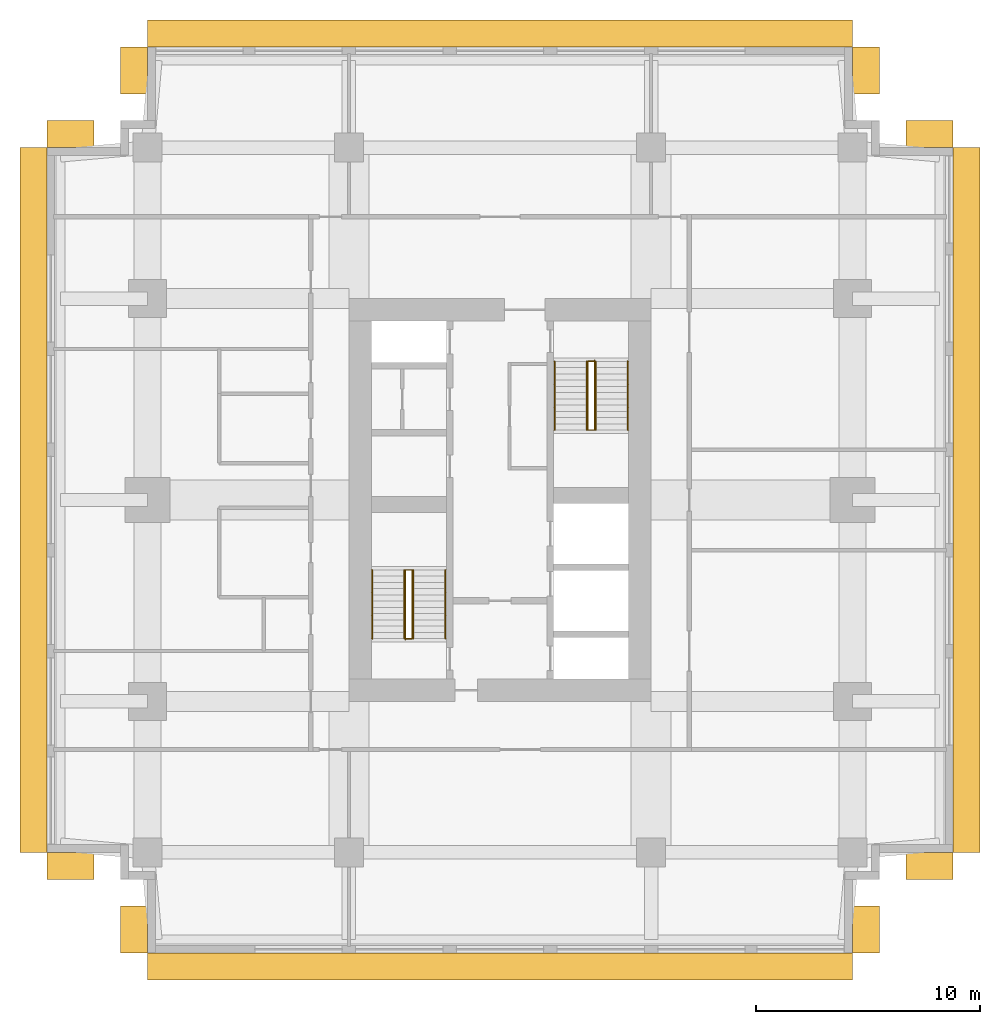
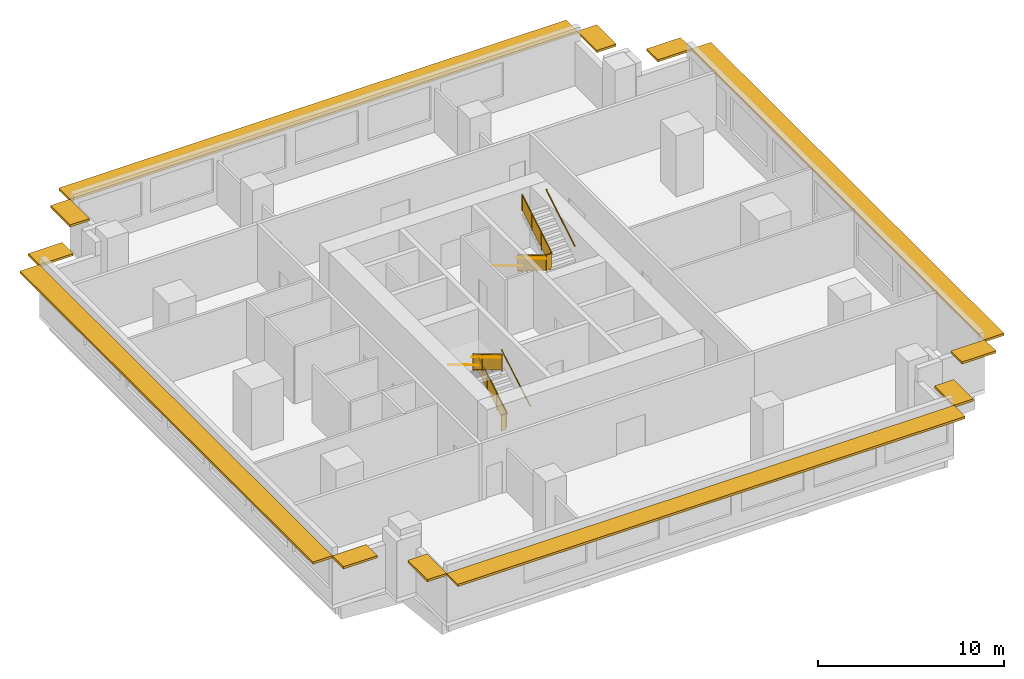
# One storey, part 5 of 5: 12 shading devices, 10 railings.
"""IFC4 building model written with IfcOpenShell, lengths in metres."""

from ifc_helpers import new_model, si_unit, direction, frame, origin, origin_2d, place, context, subcontext, project, spatial, polyline, rectangle, circle, outline, extrude, material, layer, layer_set, type_object, element, save


model = new_model("IFC4")

# Units and contexts
model_context = context("Model", 3, precision=1e-05, world=origin(), true_north=direction((0.0, 1.0)))
body_context = subcontext(model_context, "Body", "Model", "MODEL_VIEW")
ifc_project = project(units=[si_unit("LENGTHUNIT", "METRE"), si_unit("AREAUNIT", "SQUARE_METRE"), si_unit("VOLUMEUNIT", "CUBIC_METRE"), si_unit("PLANEANGLEUNIT", "RADIAN"), si_unit("MASSUNIT", "GRAM", prefix="KILO")], contexts=[model_context])

# Site, building, storey
site_placement = place(None, origin())
site = spatial("IfcSite", under=ifc_project, at=site_placement, CompositionType="ELEMENT")
building_placement = place(site_placement, origin())
building = spatial("IfcBuilding", under=site, at=building_placement, Name="Namib Vertical Campus", CompositionType="ELEMENT")
storey_placement = place(building_placement, frame((0.0, 0.0, 281.0)))
storey = spatial("IfcBuildingStorey", under=building, at=storey_placement, Name="L66", CompositionType="ELEMENT", Elevation=281.0)

# Railings
ifc_material_1 = material(Name="Steel handrail", Category="steel")
railing_type_1 = type_object("IfcRailingType", Name="Handrail 900", PredefinedType="HANDRAIL", material=ifc_material_1)
railing_1_placement = place(storey_placement, frame((17.800048828125, 14.050048828125, 0.166748046875)))
element("IfcRailing", 1, at=railing_1_placement, inside=storey, type_object=railing_type_1, Name="Handrail HR1 A-S1 L66 1", PredefinedType="HANDRAIL", context=body_context, shape_type="SweptSolid", body=[
    extrude(circle(Radius=0.02392578125, at=origin_2d()), frame((0.0, 0.0, 0.8759765625), z_axis=(0.0, 0.859290745958, 0.51148745235), x_axis=(-1.0, 0.0, 0.0)), (0.0, 0.0, 1.0), 3.584228515625),
    extrude(circle(Radius=0.008056640625, at=origin_2d()), frame((0.0, 0.0, 0.8759765625), z_axis=(1.0, 0.0, 0.0), x_axis=(0.0, 0.0, 1.0)), (0.0, 0.0, 1.0), 0.050048828125),
    extrude(circle(Radius=0.008056640625, at=origin_2d()), frame((0.0, 1.026611328125, 1.48681640625), z_axis=(1.0, 0.0, 0.0), x_axis=(0.0, 0.0, 1.0)), (0.0, 0.0, 1.0), 0.050048828125),
    extrude(circle(Radius=0.008056640625, at=origin_2d()), frame((0.0, 2.05322265625, 2.09814453125), z_axis=(1.0, 0.0, 0.0), x_axis=(0.0, 0.0, 1.0)), (0.0, 0.0, 1.0), 0.050048828125),
    extrude(circle(Radius=0.008056640625, at=origin_2d()), frame((0.0, 3.079833984375, 2.708984375), z_axis=(1.0, 0.0, 0.0), x_axis=(0.0, 0.0, 1.0)), (0.0, 0.0, 1.0), 0.050048828125),
])
railing_2_placement = place(storey_placement, frame((14.550048828125, 17.1298828125, 2.166748046875)))
element("IfcRailing", 2, at=railing_2_placement, inside=storey, type_object=railing_type_1, Name="Handrail HR1 A-S1 L66 2", PredefinedType="HANDRAIL", context=body_context, shape_type="SweptSolid", body=[
    extrude(circle(Radius=0.02392578125, at=origin_2d()), frame((0.0, 0.0, 0.8759765625), z_axis=(0.0, -0.859290745958, 0.51148745235), x_axis=(1.0, 0.0, 0.0)), (0.0, 0.0, 1.0), 3.584228515625),
    extrude(circle(Radius=0.008056640625, at=origin_2d()), frame((0.0, 0.0, 0.8759765625), z_axis=(-1.0, 0.0, 0.0), x_axis=(0.0, 0.0, 1.0)), (0.0, 0.0, 1.0), 0.050048828125),
    extrude(circle(Radius=0.008056640625, at=origin_2d()), frame((0.0, -1.026611328125, 1.48681640625), z_axis=(-1.0, 0.0, 0.0), x_axis=(0.0, 0.0, 1.0)), (0.0, 0.0, 1.0), 0.050048828125),
    extrude(circle(Radius=0.008056640625, at=origin_2d()), frame((0.0, -2.05322265625, 2.09814453125), z_axis=(-1.0, 0.0, 0.0), x_axis=(0.0, 0.0, 1.0)), (0.0, 0.0, 1.0), 0.050048828125),
    extrude(circle(Radius=0.008056640625, at=origin_2d()), frame((0.0, -3.079833984375, 2.708984375), z_axis=(-1.0, 0.0, 0.0), x_axis=(0.0, 0.0, 1.0)), (0.0, 0.0, 1.0), 0.050048828125),
])
railing_3_placement = place(storey_placement, frame((16.375, 14.050048828125, 0.166748046875)))
element("IfcRailing", 3, at=railing_3_placement, inside=storey, type_object=railing_type_1, Name="Handrail HR1 A-S1 L66 1 at the well", PredefinedType="HANDRAIL", context=body_context, shape_type="SweptSolid", body=[
    extrude(circle(Radius=0.02392578125, at=origin_2d()), frame((0.0, 0.0, 0.8759765625), z_axis=(0.0, 0.859290745958, 0.51148745235), x_axis=(-1.0, 0.0, 0.0)), (0.0, 0.0, 1.0), 3.584228515625),
    extrude(circle(Radius=0.008056640625, at=origin_2d()), frame((0.0, 0.0, 0.8759765625), z_axis=(-1.0, 0.0, 0.0), x_axis=(0.0, 0.0, 1.0)), (0.0, 0.0, 1.0), 0.0400390625),
    extrude(circle(Radius=0.008056640625, at=origin_2d()), frame((0.0, 1.026611328125, 1.48681640625), z_axis=(-1.0, 0.0, 0.0), x_axis=(0.0, 0.0, 1.0)), (0.0, 0.0, 1.0), 0.0400390625),
    extrude(circle(Radius=0.008056640625, at=origin_2d()), frame((0.0, 2.05322265625, 2.09814453125), z_axis=(-1.0, 0.0, 0.0), x_axis=(0.0, 0.0, 1.0)), (0.0, 0.0, 1.0), 0.0400390625),
    extrude(circle(Radius=0.008056640625, at=origin_2d()), frame((0.0, 3.079833984375, 2.708984375), z_axis=(-1.0, 0.0, 0.0), x_axis=(0.0, 0.0, 1.0)), (0.0, 0.0, 1.0), 0.0400390625),
])
railing_4_placement = place(storey_placement, frame((15.97509765625, 17.1298828125, 2.166748046875)))
element("IfcRailing", 4, at=railing_4_placement, inside=storey, type_object=railing_type_1, Name="Handrail HR1 A-S1 L66 2 at the well", PredefinedType="HANDRAIL", context=body_context, shape_type="SweptSolid", body=[
    extrude(circle(Radius=0.02392578125, at=origin_2d()), frame((0.0, 0.0, 0.8759765625), z_axis=(0.0, -0.859290745958, 0.51148745235), x_axis=(1.0, 0.0, 0.0)), (0.0, 0.0, 1.0), 3.584228515625),
    extrude(circle(Radius=0.008056640625, at=origin_2d()), frame((0.0, 0.0, 0.8759765625), z_axis=(1.0, 0.0, 0.0), x_axis=(0.0, 0.0, 1.0)), (0.0, 0.0, 1.0), 0.0400390625),
    extrude(circle(Radius=0.008056640625, at=origin_2d()), frame((0.0, -1.026611328125, 1.48681640625), z_axis=(1.0, 0.0, 0.0), x_axis=(0.0, 0.0, 1.0)), (0.0, 0.0, 1.0), 0.0400390625),
    extrude(circle(Radius=0.008056640625, at=origin_2d()), frame((0.0, -2.05322265625, 2.09814453125), z_axis=(1.0, 0.0, 0.0), x_axis=(0.0, 0.0, 1.0)), (0.0, 0.0, 1.0), 0.0400390625),
    extrude(circle(Radius=0.008056640625, at=origin_2d()), frame((0.0, -3.079833984375, 2.708984375), z_axis=(1.0, 0.0, 0.0), x_axis=(0.0, 0.0, 1.0)), (0.0, 0.0, 1.0), 0.0400390625),
])
railing_5_placement = place(storey_placement, frame((22.699951171875, 26.449951171875, 0.166748046875)))
element("IfcRailing", 5, at=railing_5_placement, inside=storey, type_object=railing_type_1, Name="Handrail HR1 A-S2 L66 1", PredefinedType="HANDRAIL", context=body_context, shape_type="SweptSolid", body=[
    extrude(circle(Radius=0.02392578125, at=origin_2d()), frame((0.0, 0.0, 0.8759765625), z_axis=(0.0, -0.859290745958, 0.51148745235), x_axis=(1.0, 0.0, 0.0)), (0.0, 0.0, 1.0), 3.584228515625),
    extrude(circle(Radius=0.008056640625, at=origin_2d()), frame((0.0, 0.0, 0.8759765625), z_axis=(-1.0, 0.0, 0.0), x_axis=(0.0, 0.0, 1.0)), (0.0, 0.0, 1.0), 0.050048828125),
    extrude(circle(Radius=0.008056640625, at=origin_2d()), frame((0.0, -1.026611328125, 1.48681640625), z_axis=(-1.0, 0.0, 0.0), x_axis=(0.0, 0.0, 1.0)), (0.0, 0.0, 1.0), 0.050048828125),
    extrude(circle(Radius=0.008056640625, at=origin_2d()), frame((0.0, -2.05322265625, 2.09814453125), z_axis=(-1.0, 0.0, 0.0), x_axis=(0.0, 0.0, 1.0)), (0.0, 0.0, 1.0), 0.050048828125),
    extrude(circle(Radius=0.008056640625, at=origin_2d()), frame((0.0, -3.079833984375, 2.708984375), z_axis=(-1.0, 0.0, 0.0), x_axis=(0.0, 0.0, 1.0)), (0.0, 0.0, 1.0), 0.050048828125),
])
railing_6_placement = place(storey_placement, frame((25.949951171875, 23.3701171875, 2.166748046875)))
element("IfcRailing", 6, at=railing_6_placement, inside=storey, type_object=railing_type_1, Name="Handrail HR1 A-S2 L66 2", PredefinedType="HANDRAIL", context=body_context, shape_type="SweptSolid", body=[
    extrude(circle(Radius=0.02392578125, at=origin_2d()), frame((0.0, 0.0, 0.8759765625), z_axis=(0.0, 0.859290745958, 0.51148745235), x_axis=(-1.0, 0.0, 0.0)), (0.0, 0.0, 1.0), 3.584228515625),
    extrude(circle(Radius=0.008056640625, at=origin_2d()), frame((0.0, 0.0, 0.8759765625), z_axis=(1.0, 0.0, 0.0), x_axis=(0.0, 0.0, 1.0)), (0.0, 0.0, 1.0), 0.050048828125),
    extrude(circle(Radius=0.008056640625, at=origin_2d()), frame((0.0, 1.026611328125, 1.48681640625), z_axis=(1.0, 0.0, 0.0), x_axis=(0.0, 0.0, 1.0)), (0.0, 0.0, 1.0), 0.050048828125),
    extrude(circle(Radius=0.008056640625, at=origin_2d()), frame((0.0, 2.05322265625, 2.09814453125), z_axis=(1.0, 0.0, 0.0), x_axis=(0.0, 0.0, 1.0)), (0.0, 0.0, 1.0), 0.050048828125),
    extrude(circle(Radius=0.008056640625, at=origin_2d()), frame((0.0, 3.079833984375, 2.708984375), z_axis=(1.0, 0.0, 0.0), x_axis=(0.0, 0.0, 1.0)), (0.0, 0.0, 1.0), 0.050048828125),
])
railing_7_placement = place(storey_placement, frame((24.125, 26.449951171875, 0.166748046875)))
element("IfcRailing", 7, at=railing_7_placement, inside=storey, type_object=railing_type_1, Name="Handrail HR1 A-S2 L66 1 at the well", PredefinedType="HANDRAIL", context=body_context, shape_type="SweptSolid", body=[
    extrude(circle(Radius=0.02392578125, at=origin_2d()), frame((0.0, 0.0, 0.8759765625), z_axis=(0.0, -0.859290745958, 0.51148745235), x_axis=(1.0, 0.0, 0.0)), (0.0, 0.0, 1.0), 3.584228515625),
    extrude(circle(Radius=0.008056640625, at=origin_2d()), frame((0.0, 0.0, 0.8759765625), z_axis=(1.0, 0.0, 0.0), x_axis=(0.0, 0.0, 1.0)), (0.0, 0.0, 1.0), 0.0400390625),
    extrude(circle(Radius=0.008056640625, at=origin_2d()), frame((0.0, -1.026611328125, 1.48681640625), z_axis=(1.0, 0.0, 0.0), x_axis=(0.0, 0.0, 1.0)), (0.0, 0.0, 1.0), 0.0400390625),
    extrude(circle(Radius=0.008056640625, at=origin_2d()), frame((0.0, -2.05322265625, 2.09814453125), z_axis=(1.0, 0.0, 0.0), x_axis=(0.0, 0.0, 1.0)), (0.0, 0.0, 1.0), 0.0400390625),
    extrude(circle(Radius=0.008056640625, at=origin_2d()), frame((0.0, -3.079833984375, 2.708984375), z_axis=(1.0, 0.0, 0.0), x_axis=(0.0, 0.0, 1.0)), (0.0, 0.0, 1.0), 0.0400390625),
])
railing_8_placement = place(storey_placement, frame((24.52490234375, 23.3701171875, 2.166748046875)))
element("IfcRailing", 8, at=railing_8_placement, inside=storey, type_object=railing_type_1, Name="Handrail HR1 A-S2 L66 2 at the well", PredefinedType="HANDRAIL", context=body_context, shape_type="SweptSolid", body=[
    extrude(circle(Radius=0.02392578125, at=origin_2d()), frame((0.0, 0.0, 0.8759765625), z_axis=(0.0, 0.859290745958, 0.51148745235), x_axis=(-1.0, 0.0, 0.0)), (0.0, 0.0, 1.0), 3.584228515625),
    extrude(circle(Radius=0.008056640625, at=origin_2d()), frame((0.0, 0.0, 0.8759765625), z_axis=(-1.0, 0.0, 0.0), x_axis=(0.0, 0.0, 1.0)), (0.0, 0.0, 1.0), 0.0400390625),
    extrude(circle(Radius=0.008056640625, at=origin_2d()), frame((0.0, 1.026611328125, 1.48681640625), z_axis=(-1.0, 0.0, 0.0), x_axis=(0.0, 0.0, 1.0)), (0.0, 0.0, 1.0), 0.0400390625),
    extrude(circle(Radius=0.008056640625, at=origin_2d()), frame((0.0, 2.05322265625, 2.09814453125), z_axis=(-1.0, 0.0, 0.0), x_axis=(0.0, 0.0, 1.0)), (0.0, 0.0, 1.0), 0.0400390625),
    extrude(circle(Radius=0.008056640625, at=origin_2d()), frame((0.0, 3.079833984375, 2.708984375), z_axis=(-1.0, 0.0, 0.0), x_axis=(0.0, 0.0, 1.0)), (0.0, 0.0, 1.0), 0.0400390625),
])
ifc_material_2 = material(Name="Steel balustrade", Category="steel")
railing_type_2 = type_object("IfcRailingType", Name="Stair guard 1100", PredefinedType="GUARDRAIL", material=ifc_material_2)
railing_9_placement = place(storey_placement, frame((16.02490234375, 14.050048828125, 0.0)))
element("IfcRailing", 9, at=railing_9_placement, inside=storey, type_object=railing_type_2, Name="Stair guard GR1 A-S1 L66", PredefinedType="GUARDRAIL", context=body_context, shape_type="SweptSolid", body=[
    extrude(circle(Radius=0.02392578125, at=origin_2d()), frame((0.0, 0.0, 1.076171875), z_axis=(1.0, 0.0, 0.0), x_axis=(0.0, 1.0, 0.0)), (0.0, 0.0, 1.0), 0.300048828125),
    extrude(outline(polyline([(0.02099609375, 0.050048828125), (0.279052734375, 0.050048828125), (0.279052734375, 1.052001953125), (0.02099609375, 1.052001953125), (0.02099609375, 0.050048828125)])), frame((0.0, 0.010009765625, 0.0), z_axis=(0.0, -1.0, 0.0), x_axis=(1.0, 0.0, 0.0)), (0.0, 0.0, 1.0), 0.02001953125),
    extrude(circle(Radius=0.02392578125, at=origin_2d()), frame((0.300048828125, 0.0, 1.076171875), z_axis=(0.0, 0.0, 1.0), x_axis=(1.0, 0.0, 0.0)), (0.0, 0.0, 1.0), 0.166748046875),
    extrude(circle(Radius=0.02392578125, at=origin_2d()), frame((0.300048828125, 0.0, 1.24267578125), z_axis=(0.0, 0.859290745958, 0.51148745235), x_axis=(-1.0, 0.0, 0.0)), (0.0, 0.0, 1.0), 3.584228515625),
    extrude(outline(polyline([(0.02099609375, 0.0625), (3.058837890625, 1.870849609375), (3.058837890625, 2.872802734375), (0.02099609375, 1.064453125), (0.02099609375, 0.0625)])), frame((0.2900390625, 0.0, 0.166748046875), z_axis=(1.0, 0.0, 0.0), x_axis=(0.0, 1.0, 0.0)), (0.0, 0.0, 1.0), 0.02001953125),
    extrude(circle(Radius=0.02392578125, at=origin_2d()), frame((0.300048828125, 3.079833984375, 3.076171875), z_axis=(-1.0, 0.0, 0.0), x_axis=(0.0, -1.0, 0.0)), (0.0, 0.0, 1.0), 0.300048828125),
    extrude(outline(polyline([(0.02099609375, 0.050048828125), (0.279052734375, 0.050048828125), (0.279052734375, 1.052001953125), (0.02099609375, 1.052001953125), (0.02099609375, 0.050048828125)])), frame((0.300048828125, 3.06982421875, 2.0), z_axis=(0.0, 1.0, 0.0), x_axis=(-1.0, 0.0, 0.0)), (0.0, 0.0, 1.0), 0.02001953125),
    extrude(circle(Radius=0.02392578125, at=origin_2d()), frame((0.0, 3.079833984375, 3.076171875), z_axis=(0.0, 0.0, 1.0), x_axis=(1.0, 0.0, 0.0)), (0.0, 0.0, 1.0), 0.166748046875),
    extrude(circle(Radius=0.02392578125, at=origin_2d()), frame((0.0, 3.079833984375, 3.24267578125), z_axis=(0.0, -0.859290745958, 0.51148745235), x_axis=(1.0, 0.0, 0.0)), (0.0, 0.0, 1.0), 3.584228515625),
    extrude(outline(polyline([(0.02099609375, 0.0625), (3.058837890625, 1.870849609375), (3.058837890625, 2.872802734375), (0.02099609375, 1.064453125), (0.02099609375, 0.0625)])), frame((0.010009765625, 3.079833984375, 2.166748046875), z_axis=(-1.0, 0.0, 0.0), x_axis=(0.0, -1.0, 0.0)), (0.0, 0.0, 1.0), 0.02001953125),
    extrude(circle(Radius=0.02392578125, at=origin_2d()), frame((0.0, 0.0, 5.076171875), z_axis=(0.0, -1.0, 0.0), x_axis=(1.0, 0.0, 0.0)), (0.0, 0.0, 1.0), 0.050048828125),
    extrude(outline(polyline([(0.02099609375, 0.050048828125), (0.029052734375, 0.050048828125), (0.029052734375, 1.052001953125), (0.02099609375, 1.052001953125), (0.02099609375, 0.050048828125)])), frame((0.010009765625, 0.0, 4.0), z_axis=(-1.0, 0.0, 0.0), x_axis=(0.0, -1.0, 0.0)), (0.0, 0.0, 1.0), 0.02001953125),
    extrude(circle(Radius=0.02099609375, at=origin_2d()), origin(), (0.0, 0.0, 1.0), 1.052001953125),
    extrude(circle(Radius=0.02099609375, at=origin_2d()), frame((0.300048828125, 0.0, 0.166748046875)), (0.0, 0.0, 1.0), 1.052001953125),
    extrude(circle(Radius=0.02099609375, at=origin_2d()), frame((0.300048828125, 1.026611328125, 0.666748046875)), (0.0, 0.0, 1.0), 1.1630859375),
    extrude(circle(Radius=0.02099609375, at=origin_2d()), frame((0.300048828125, 2.05322265625, 1.33349609375)), (0.0, 0.0, 1.0), 1.107421875),
    extrude(circle(Radius=0.02099609375, at=origin_2d()), frame((0.300048828125, 3.079833984375, 2.0)), (0.0, 0.0, 1.0), 1.052001953125),
    extrude(circle(Radius=0.02099609375, at=origin_2d()), frame((0.0, 3.079833984375, 2.166748046875)), (0.0, 0.0, 1.0), 1.052001953125),
    extrude(circle(Radius=0.02099609375, at=origin_2d()), frame((0.0, 2.05322265625, 2.666748046875)), (0.0, 0.0, 1.0), 1.1630859375),
    extrude(circle(Radius=0.02099609375, at=origin_2d()), frame((0.0, 1.026611328125, 3.33349609375)), (0.0, 0.0, 1.0), 1.107421875),
    extrude(circle(Radius=0.02099609375, at=origin_2d()), frame((0.0, 0.0, 4.0)), (0.0, 0.0, 1.0), 1.052001953125),
    extrude(circle(Radius=0.02099609375, at=origin_2d()), frame((0.0, -0.050048828125, 4.0)), (0.0, 0.0, 1.0), 1.052001953125),
])
railing_10_placement = place(storey_placement, frame((24.47509765625, 26.449951171875, 0.0)))
element("IfcRailing", 10, at=railing_10_placement, inside=storey, type_object=railing_type_2, Name="Stair guard GR1 A-S2 L66", PredefinedType="GUARDRAIL", context=body_context, shape_type="SweptSolid", body=[
    extrude(circle(Radius=0.02392578125, at=origin_2d()), frame((0.0, 0.0, 1.076171875), z_axis=(-1.0, 0.0, 0.0), x_axis=(0.0, -1.0, 0.0)), (0.0, 0.0, 1.0), 0.300048828125),
    extrude(outline(polyline([(0.02099609375, 0.050048828125), (0.279052734375, 0.050048828125), (0.279052734375, 1.052001953125), (0.02099609375, 1.052001953125), (0.02099609375, 0.050048828125)])), frame((0.0, -0.010009765625, 0.0), z_axis=(0.0, 1.0, 0.0), x_axis=(-1.0, 0.0, 0.0)), (0.0, 0.0, 1.0), 0.02001953125),
    extrude(circle(Radius=0.02392578125, at=origin_2d()), frame((-0.300048828125, 0.0, 1.076171875), z_axis=(0.0, 0.0, 1.0), x_axis=(1.0, 0.0, 0.0)), (0.0, 0.0, 1.0), 0.166748046875),
    extrude(circle(Radius=0.02392578125, at=origin_2d()), frame((-0.300048828125, 0.0, 1.24267578125), z_axis=(0.0, -0.859290745958, 0.51148745235), x_axis=(1.0, 0.0, 0.0)), (0.0, 0.0, 1.0), 3.584228515625),
    extrude(outline(polyline([(0.02099609375, 0.0625), (3.058837890625, 1.870849609375), (3.058837890625, 2.872802734375), (0.02099609375, 1.064453125), (0.02099609375, 0.0625)])), frame((-0.2900390625, 0.0, 0.166748046875), z_axis=(-1.0, 0.0, 0.0), x_axis=(0.0, -1.0, 0.0)), (0.0, 0.0, 1.0), 0.02001953125),
    extrude(circle(Radius=0.02392578125, at=origin_2d()), frame((-0.300048828125, -3.079833984375, 3.076171875), z_axis=(1.0, 0.0, 0.0), x_axis=(0.0, 1.0, 0.0)), (0.0, 0.0, 1.0), 0.300048828125),
    extrude(outline(polyline([(0.02099609375, 0.050048828125), (0.279052734375, 0.050048828125), (0.279052734375, 1.052001953125), (0.02099609375, 1.052001953125), (0.02099609375, 0.050048828125)])), frame((-0.300048828125, -3.06982421875, 2.0), z_axis=(0.0, -1.0, 0.0), x_axis=(1.0, 0.0, 0.0)), (0.0, 0.0, 1.0), 0.02001953125),
    extrude(circle(Radius=0.02392578125, at=origin_2d()), frame((0.0, -3.079833984375, 3.076171875), z_axis=(0.0, 0.0, 1.0), x_axis=(1.0, 0.0, 0.0)), (0.0, 0.0, 1.0), 0.166748046875),
    extrude(circle(Radius=0.02392578125, at=origin_2d()), frame((0.0, -3.079833984375, 3.24267578125), z_axis=(0.0, 0.859290745958, 0.51148745235), x_axis=(-1.0, 0.0, 0.0)), (0.0, 0.0, 1.0), 3.584228515625),
    extrude(outline(polyline([(0.02099609375, 0.0625), (3.058837890625, 1.870849609375), (3.058837890625, 2.872802734375), (0.02099609375, 1.064453125), (0.02099609375, 0.0625)])), frame((-0.010009765625, -3.079833984375, 2.166748046875), z_axis=(1.0, 0.0, 0.0), x_axis=(0.0, 1.0, 0.0)), (0.0, 0.0, 1.0), 0.02001953125),
    extrude(circle(Radius=0.02392578125, at=origin_2d()), frame((0.0, 0.0, 5.076171875), z_axis=(0.0, 1.0, 0.0), x_axis=(-1.0, 0.0, 0.0)), (0.0, 0.0, 1.0), 0.050048828125),
    extrude(outline(polyline([(0.02099609375, 0.050048828125), (0.029052734375, 0.050048828125), (0.029052734375, 1.052001953125), (0.02099609375, 1.052001953125), (0.02099609375, 0.050048828125)])), frame((-0.010009765625, 0.0, 4.0), z_axis=(1.0, 0.0, 0.0), x_axis=(0.0, 1.0, 0.0)), (0.0, 0.0, 1.0), 0.02001953125),
    extrude(circle(Radius=0.02099609375, at=origin_2d()), origin(), (0.0, 0.0, 1.0), 1.052001953125),
    extrude(circle(Radius=0.02099609375, at=origin_2d()), frame((-0.300048828125, 0.0, 0.166748046875)), (0.0, 0.0, 1.0), 1.052001953125),
    extrude(circle(Radius=0.02099609375, at=origin_2d()), frame((-0.300048828125, -1.026611328125, 0.666748046875)), (0.0, 0.0, 1.0), 1.1630859375),
    extrude(circle(Radius=0.02099609375, at=origin_2d()), frame((-0.300048828125, -2.05322265625, 1.33349609375)), (0.0, 0.0, 1.0), 1.107421875),
    extrude(circle(Radius=0.02099609375, at=origin_2d()), frame((-0.300048828125, -3.079833984375, 2.0)), (0.0, 0.0, 1.0), 1.052001953125),
    extrude(circle(Radius=0.02099609375, at=origin_2d()), frame((0.0, -3.079833984375, 2.166748046875)), (0.0, 0.0, 1.0), 1.052001953125),
    extrude(circle(Radius=0.02099609375, at=origin_2d()), frame((0.0, -2.05322265625, 2.666748046875)), (0.0, 0.0, 1.0), 1.1630859375),
    extrude(circle(Radius=0.02099609375, at=origin_2d()), frame((0.0, -1.026611328125, 3.33349609375)), (0.0, 0.0, 1.0), 1.107421875),
    extrude(circle(Radius=0.02099609375, at=origin_2d()), frame((0.0, 0.0, 4.0)), (0.0, 0.0, 1.0), 1.052001953125),
    extrude(circle(Radius=0.02099609375, at=origin_2d()), frame((0.0, 0.050048828125, 4.0)), (0.0, 0.0, 1.0), 1.052001953125),
])

# Shading devices
ifc_material_3 = material(Name="Concrete C40/50 precast", Category="concrete")
ifc_layer = layer(ifc_material_3, 0.14990234375)
ifc_layer_set = layer_set([ifc_layer], Name="Concrete C40/50 precast")
shading_device_type = type_object("IfcShadingDeviceType", Name="Sunshade hood 1200", PredefinedType="SHUTTER", material=ifc_layer_set)
shading_device_1_placement = place(storey_placement, frame((20.25, -0.60009765625, 3.10009765625), z_axis=(0.0, 0.0, 1.0), x_axis=(1.0, 0.0, 0.0)))
element("IfcShadingDevice", 11, at=shading_device_1_placement, inside=storey, type_object=shading_device_type, Name="Sunshade SH2 L66 1", PredefinedType="SHUTTER", context=body_context, shape_type="SweptSolid", body=[
    extrude(rectangle(XDim=31.5, YDim=1.199951171875, at=origin_2d()), origin(), (0.0, 0.0, 1.0), 0.14990234375),
])
for number, where, z_axis, x_axis, name in (
    (12, (36.60009765625, 1.050048828125, 3.10009765625), (0.0, 0.0, 1.0), (0.0, 1.0, 0.0), "Sunshade SH2 L66 2"),
    (13, (39.449951171875, 3.89990234375, 3.10009765625), (0.0, 0.0, 1.0), (1.0, 0.0, 0.0), "Sunshade SH2 L66 5"),
):
    element("IfcShadingDevice", number, at=place(storey_placement, frame(where, z_axis=z_axis, x_axis=x_axis)), inside=storey, type_object=shading_device_type, Name=name, PredefinedType="SHUTTER", context=body_context, shape_type="SweptSolid", body=[
        extrude(rectangle(XDim=2.10009765625, YDim=1.199951171875, at=origin_2d()), origin(), (0.0, 0.0, 1.0), 0.14990234375),
    ])
shading_device_2_placement = place(storey_placement, frame((41.10009765625, 20.25, 3.10009765625), z_axis=(0.0, 0.0, 1.0), x_axis=(0.0, 1.0, 0.0)))
element("IfcShadingDevice", 14, at=shading_device_2_placement, inside=storey, type_object=shading_device_type, Name="Sunshade SH2 L66 6", PredefinedType="SHUTTER", context=body_context, shape_type="SweptSolid", body=[
    extrude(rectangle(XDim=31.5, YDim=1.199951171875, at=origin_2d()), origin(), (0.0, 0.0, 1.0), 0.14990234375),
])
for number, where, z_axis, x_axis, name in (
    (15, (39.449951171875, 36.60009765625, 3.10009765625), (0.0, 0.0, 1.0), (-1.0, 0.0, 0.0), "Sunshade SH2 L66 7"),
    (16, (36.60009765625, 39.449951171875, 3.10009765625), (0.0, 0.0, 1.0), (0.0, 1.0, 0.0), "Sunshade SH2 L66 10"),
):
    element("IfcShadingDevice", number, at=place(storey_placement, frame(where, z_axis=z_axis, x_axis=x_axis)), inside=storey, type_object=shading_device_type, Name=name, PredefinedType="SHUTTER", context=body_context, shape_type="SweptSolid", body=[
        extrude(rectangle(XDim=2.10009765625, YDim=1.199951171875, at=origin_2d()), origin(), (0.0, 0.0, 1.0), 0.14990234375),
    ])
shading_device_3_placement = place(storey_placement, frame((20.25, 41.10009765625, 3.10009765625), z_axis=(0.0, 0.0, 1.0), x_axis=(-1.0, 0.0, 0.0)))
element("IfcShadingDevice", 17, at=shading_device_3_placement, inside=storey, type_object=shading_device_type, Name="Sunshade SH2 L66 11", PredefinedType="SHUTTER", context=body_context, shape_type="SweptSolid", body=[
    extrude(rectangle(XDim=31.5, YDim=1.199951171875, at=origin_2d()), origin(), (0.0, 0.0, 1.0), 0.14990234375),
])
for number, where, z_axis, x_axis, name in (
    (18, (3.89990234375, 39.449951171875, 3.10009765625), (0.0, 0.0, 1.0), (0.0, -1.0, 0.0), "Sunshade SH2 L66 12"),
    (19, (1.050048828125, 36.60009765625, 3.10009765625), (0.0, 0.0, 1.0), (-1.0, 0.0, 0.0), "Sunshade SH2 L66 15"),
):
    element("IfcShadingDevice", number, at=place(storey_placement, frame(where, z_axis=z_axis, x_axis=x_axis)), inside=storey, type_object=shading_device_type, Name=name, PredefinedType="SHUTTER", context=body_context, shape_type="SweptSolid", body=[
        extrude(rectangle(XDim=2.10009765625, YDim=1.199951171875, at=origin_2d()), origin(), (0.0, 0.0, 1.0), 0.14990234375),
    ])
shading_device_4_placement = place(storey_placement, frame((-0.60009765625, 20.25, 3.10009765625), z_axis=(0.0, 0.0, 1.0), x_axis=(0.0, -1.0, 0.0)))
element("IfcShadingDevice", 20, at=shading_device_4_placement, inside=storey, type_object=shading_device_type, Name="Sunshade SH2 L66 16", PredefinedType="SHUTTER", context=body_context, shape_type="SweptSolid", body=[
    extrude(rectangle(XDim=31.5, YDim=1.199951171875, at=origin_2d()), origin(), (0.0, 0.0, 1.0), 0.14990234375),
])
for number, where, z_axis, x_axis, name in (
    (21, (1.050048828125, 3.89990234375, 3.10009765625), (0.0, 0.0, 1.0), (1.0, 0.0, 0.0), "Sunshade SH2 L66 17"),
    (22, (3.89990234375, 1.050048828125, 3.10009765625), (0.0, 0.0, 1.0), (0.0, -1.0, 0.0), "Sunshade SH2 L66 20"),
):
    element("IfcShadingDevice", number, at=place(storey_placement, frame(where, z_axis=z_axis, x_axis=x_axis)), inside=storey, type_object=shading_device_type, Name=name, PredefinedType="SHUTTER", context=body_context, shape_type="SweptSolid", body=[
        extrude(rectangle(XDim=2.10009765625, YDim=1.199951171875, at=origin_2d()), origin(), (0.0, 0.0, 1.0), 0.14990234375),
    ])

save(model, "model.ifc")
